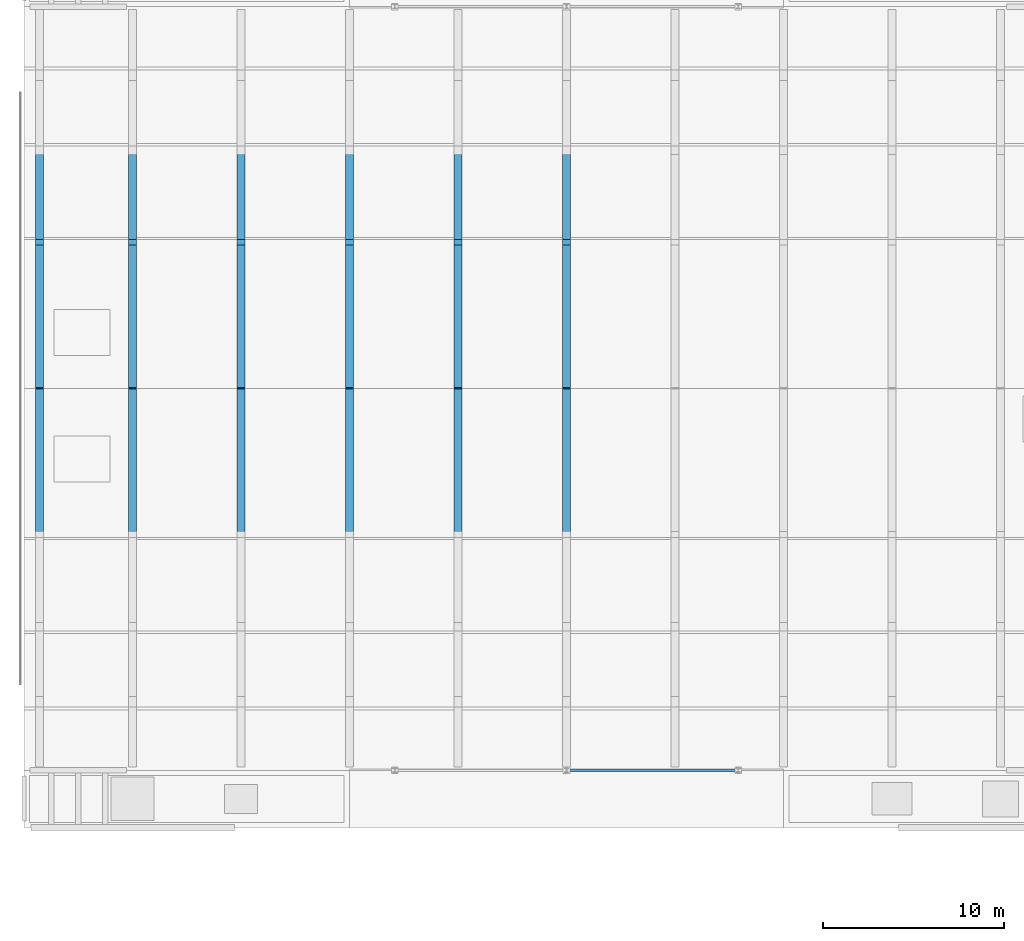
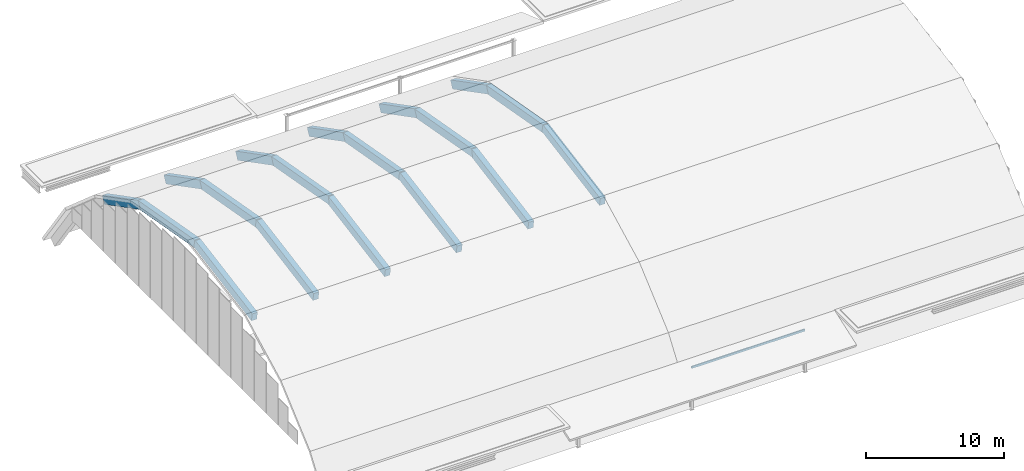
# One storey, part 16 of 42: 18 beams, 1 member.
"""IFC4 building model written with IfcOpenShell, lengths in metres."""

from ifc_helpers import new_model, si_unit, direction, frame, origin, origin_2d, place, context, subcontext, project, spatial, rectangle, hollow_rectangle, extrude, material, material_profile, profile_set, type_object, element, save


model = new_model("IFC4")

# Units and contexts
model_context = context("Model", 3, precision=1e-05, world=origin(), true_north=direction((0.0, 1.0)))
body_context = subcontext(model_context, "Body", "Model", "MODEL_VIEW")
ifc_project = project(units=[si_unit("LENGTHUNIT", "METRE"), si_unit("AREAUNIT", "SQUARE_METRE"), si_unit("VOLUMEUNIT", "CUBIC_METRE"), si_unit("PLANEANGLEUNIT", "RADIAN"), si_unit("MASSUNIT", "GRAM", prefix="KILO")], contexts=[model_context])

# Site, building, storey
site_placement = place(None, origin())
site = spatial("IfcSite", under=ifc_project, at=site_placement, CompositionType="ELEMENT")
building_placement = place(site_placement, origin())
building = spatial("IfcBuilding", under=site, at=building_placement, Name="Kelmvaro Bay Concert Hall", CompositionType="ELEMENT")
storey_placement = place(building_placement, frame((0.0, 0.0, 26.699951171875)))
storey = spatial("IfcBuildingStorey", under=building, at=storey_placement, Name="RF", CompositionType="ELEMENT", Elevation=26.699951171875)

# Beams
ifc_material_1 = material(Name="Concrete C40/50", Category="concrete")
ifc_material_profile_1 = material_profile(ifc_material_1, rectangle(XDim=0.449951171875, YDim=0.699951171875, at=origin_2d()), Name="RC-BM-450X700")
ifc_profile_set_1 = profile_set([ifc_material_profile_1], Name="Concrete C40/50")
beam_type = type_object("IfcBeamType", Name="Perimeter Spandrel Beam RC450x700", PredefinedType="BEAM", material=ifc_profile_set_1)
for number, where, z_axis, x_axis, name in (
    (1, (0.85009765625, 81.45751953125, 6.04736328125), (0.0, 0.98428661515, 0.176578195811), (-1.0, 0.0, 0.0), "Barrel Shell Arch Rib 01-04"),
    (2, (0.85009765625, 89.60009765625, 7.5439453125), (0.0, 0.98428661515, -0.176578195811), (-1.0, 0.0, 0.0), "Barrel Shell Arch Rib 01-05"),
):
    element("IfcBeam", number, at=place(storey_placement, frame(where, z_axis=z_axis, x_axis=x_axis)), inside=storey, type_object=beam_type, Name=name, PredefinedType="BEAM", context=body_context, shape_type="SweptSolid", body=[
        extrude(rectangle(XDim=0.449951171875, YDim=0.699951171875, at=origin_2d()), origin(), (0.0, 0.0, 1.0), 8.475341796875),
    ])
beam_1_placement = place(storey_placement, frame((0.85009765625, 97.78271484375, 6.101806640625), z_axis=(0.0, 0.8881303533, -0.459591639988), x_axis=(-1.0, 0.0, 0.0)))
element("IfcBeam", 3, at=beam_1_placement, inside=storey, type_object=beam_type, Name="Barrel Shell Arch Rib 01-06", PredefinedType="BEAM", context=body_context, shape_type="SweptSolid", body=[
    extrude(rectangle(XDim=0.449951171875, YDim=0.699951171875, at=origin_2d()), origin(), (0.0, 0.0, 1.0), 5.865234375),
])
for number, where, z_axis, x_axis, name in (
    (4, (6.0, 81.45751953125, 6.04736328125), (0.0, 0.98428661515, 0.176578195811), (-1.0, 0.0, 0.0), "Barrel Shell Arch Rib 02-04"),
    (5, (6.0, 89.60009765625, 7.5439453125), (0.0, 0.98428661515, -0.176578195811), (-1.0, 0.0, 0.0), "Barrel Shell Arch Rib 02-05"),
):
    element("IfcBeam", number, at=place(storey_placement, frame(where, z_axis=z_axis, x_axis=x_axis)), inside=storey, type_object=beam_type, Name=name, PredefinedType="BEAM", context=body_context, shape_type="SweptSolid", body=[
        extrude(rectangle(XDim=0.449951171875, YDim=0.699951171875, at=origin_2d()), origin(), (0.0, 0.0, 1.0), 8.475341796875),
    ])
beam_2_placement = place(storey_placement, frame((6.0, 97.78271484375, 6.101806640625), z_axis=(0.0, 0.8881303533, -0.459591639988), x_axis=(-1.0, 0.0, 0.0)))
element("IfcBeam", 6, at=beam_2_placement, inside=storey, type_object=beam_type, Name="Barrel Shell Arch Rib 02-06", PredefinedType="BEAM", context=body_context, shape_type="SweptSolid", body=[
    extrude(rectangle(XDim=0.449951171875, YDim=0.699951171875, at=origin_2d()), origin(), (0.0, 0.0, 1.0), 5.865234375),
])
for number, where, z_axis, x_axis, name in (
    (7, (12.0, 81.45751953125, 6.04736328125), (0.0, 0.98428661515, 0.176578195811), (-1.0, 0.0, 0.0), "Barrel Shell Arch Rib 03-04"),
    (8, (12.0, 89.60009765625, 7.5439453125), (0.0, 0.98428661515, -0.176578195811), (-1.0, 0.0, 0.0), "Barrel Shell Arch Rib 03-05"),
):
    element("IfcBeam", number, at=place(storey_placement, frame(where, z_axis=z_axis, x_axis=x_axis)), inside=storey, type_object=beam_type, Name=name, PredefinedType="BEAM", context=body_context, shape_type="SweptSolid", body=[
        extrude(rectangle(XDim=0.449951171875, YDim=0.699951171875, at=origin_2d()), origin(), (0.0, 0.0, 1.0), 8.475341796875),
    ])
beam_3_placement = place(storey_placement, frame((12.0, 97.78271484375, 6.101806640625), z_axis=(0.0, 0.8881303533, -0.459591639988), x_axis=(-1.0, 0.0, 0.0)))
element("IfcBeam", 9, at=beam_3_placement, inside=storey, type_object=beam_type, Name="Barrel Shell Arch Rib 03-06", PredefinedType="BEAM", context=body_context, shape_type="SweptSolid", body=[
    extrude(rectangle(XDim=0.449951171875, YDim=0.699951171875, at=origin_2d()), origin(), (0.0, 0.0, 1.0), 5.865234375),
])
for number, where, z_axis, x_axis, name in (
    (10, (18.0, 81.45751953125, 6.04736328125), (0.0, 0.98428661515, 0.176578195811), (-1.0, 0.0, 0.0), "Barrel Shell Arch Rib 04-04"),
    (11, (18.0, 89.60009765625, 7.5439453125), (0.0, 0.98428661515, -0.176578195811), (-1.0, 0.0, 0.0), "Barrel Shell Arch Rib 04-05"),
):
    element("IfcBeam", number, at=place(storey_placement, frame(where, z_axis=z_axis, x_axis=x_axis)), inside=storey, type_object=beam_type, Name=name, PredefinedType="BEAM", context=body_context, shape_type="SweptSolid", body=[
        extrude(rectangle(XDim=0.449951171875, YDim=0.699951171875, at=origin_2d()), origin(), (0.0, 0.0, 1.0), 8.475341796875),
    ])
beam_4_placement = place(storey_placement, frame((18.0, 97.78271484375, 6.101806640625), z_axis=(0.0, 0.8881303533, -0.459591639988), x_axis=(-1.0, 0.0, 0.0)))
element("IfcBeam", 12, at=beam_4_placement, inside=storey, type_object=beam_type, Name="Barrel Shell Arch Rib 04-06", PredefinedType="BEAM", context=body_context, shape_type="SweptSolid", body=[
    extrude(rectangle(XDim=0.449951171875, YDim=0.699951171875, at=origin_2d()), origin(), (0.0, 0.0, 1.0), 5.865234375),
])
for number, where, z_axis, x_axis, name in (
    (13, (24.0, 81.45751953125, 6.04736328125), (0.0, 0.98428661515, 0.176578195811), (-1.0, 0.0, 0.0), "Barrel Shell Arch Rib 05-04"),
    (14, (24.0, 89.60009765625, 7.5439453125), (0.0, 0.98428661515, -0.176578195811), (-1.0, 0.0, 0.0), "Barrel Shell Arch Rib 05-05"),
):
    element("IfcBeam", number, at=place(storey_placement, frame(where, z_axis=z_axis, x_axis=x_axis)), inside=storey, type_object=beam_type, Name=name, PredefinedType="BEAM", context=body_context, shape_type="SweptSolid", body=[
        extrude(rectangle(XDim=0.449951171875, YDim=0.699951171875, at=origin_2d()), origin(), (0.0, 0.0, 1.0), 8.475341796875),
    ])
beam_5_placement = place(storey_placement, frame((24.0, 97.78271484375, 6.101806640625), z_axis=(0.0, 0.8881303533, -0.459591639988), x_axis=(-1.0, 0.0, 0.0)))
element("IfcBeam", 15, at=beam_5_placement, inside=storey, type_object=beam_type, Name="Barrel Shell Arch Rib 05-06", PredefinedType="BEAM", context=body_context, shape_type="SweptSolid", body=[
    extrude(rectangle(XDim=0.449951171875, YDim=0.699951171875, at=origin_2d()), origin(), (0.0, 0.0, 1.0), 5.865234375),
])
for number, where, z_axis, x_axis, name in (
    (16, (30.0, 81.45751953125, 6.04736328125), (0.0, 0.98428661515, 0.176578195811), (-1.0, 0.0, 0.0), "Barrel Shell Arch Rib 06-04"),
    (17, (30.0, 89.60009765625, 7.5439453125), (0.0, 0.98428661515, -0.176578195811), (-1.0, 0.0, 0.0), "Barrel Shell Arch Rib 06-05"),
):
    element("IfcBeam", number, at=place(storey_placement, frame(where, z_axis=z_axis, x_axis=x_axis)), inside=storey, type_object=beam_type, Name=name, PredefinedType="BEAM", context=body_context, shape_type="SweptSolid", body=[
        extrude(rectangle(XDim=0.449951171875, YDim=0.699951171875, at=origin_2d()), origin(), (0.0, 0.0, 1.0), 8.475341796875),
    ])
beam_6_placement = place(storey_placement, frame((30.0, 97.78271484375, 6.101806640625), z_axis=(0.0, 0.8881303533, -0.459591639988), x_axis=(-1.0, 0.0, 0.0)))
element("IfcBeam", 18, at=beam_6_placement, inside=storey, type_object=beam_type, Name="Barrel Shell Arch Rib 06-06", PredefinedType="BEAM", context=body_context, shape_type="SweptSolid", body=[
    extrude(rectangle(XDim=0.449951171875, YDim=0.699951171875, at=origin_2d()), origin(), (0.0, 0.0, 1.0), 5.865234375),
])

# Member
ifc_material_2 = material(Name="Steel ASTM A500 Grade C", Category="steel")
ifc_material_profile_2 = material_profile(ifc_material_2, hollow_rectangle(XDim=0.10009765625, YDim=0.179931640625, WallThickness=0.008056640625, at=origin_2d()), Name="HSS180X100X8")
ifc_profile_set_2 = profile_set([ifc_material_profile_2], Name="Steel ASTM A500 Grade C")
member_type = type_object("IfcMemberType", Name="Shoulder Roof Purlin HSS180x100x8", PredefinedType="PURLIN", material=ifc_profile_set_2)
member_placement = place(storey_placement, frame((30.0048828125, 68.580078125, -0.849853515625), z_axis=(1.0, 0.0, 0.0), x_axis=(0.0, 1.0, 0.0)))
element("IfcMember", 19, at=member_placement, inside=storey, type_object=member_type, Name="V1 Shoulder Purlin 082", PredefinedType="PURLIN", context=body_context, shape_type="SweptSolid", body=[
    extrude(hollow_rectangle(XDim=0.10009765625, YDim=0.179931640625, WallThickness=0.008056640625, at=origin_2d()), origin(), (0.0, 0.0, 1.0), 9.490234375),
])

save(model, "model.ifc")
